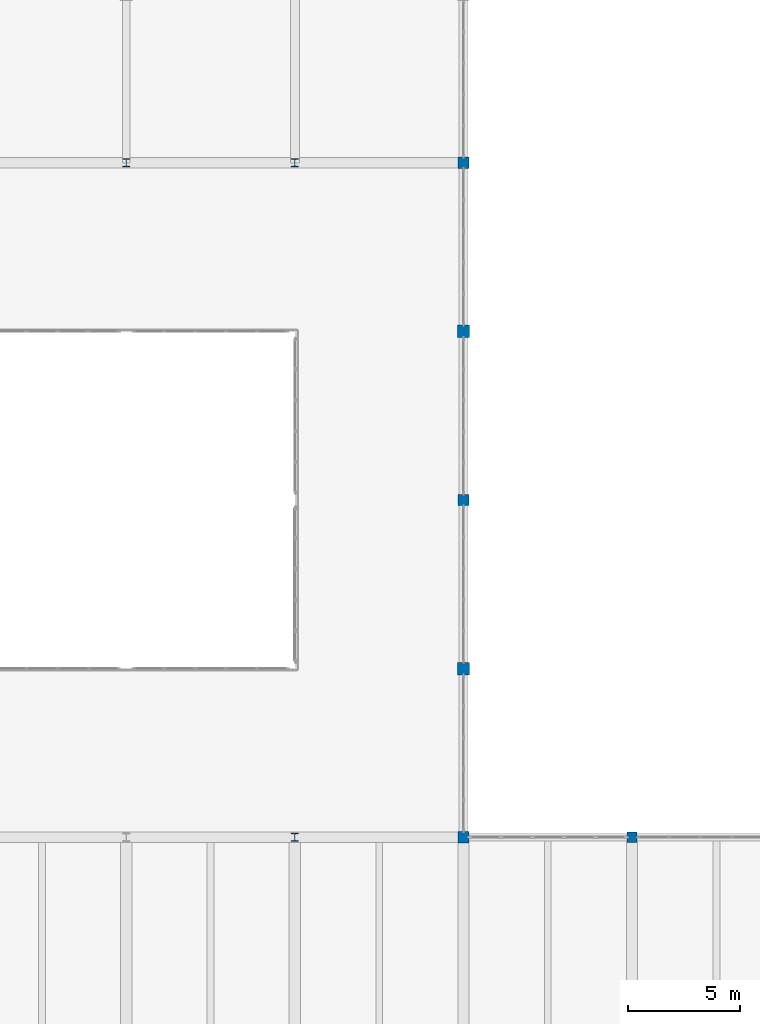
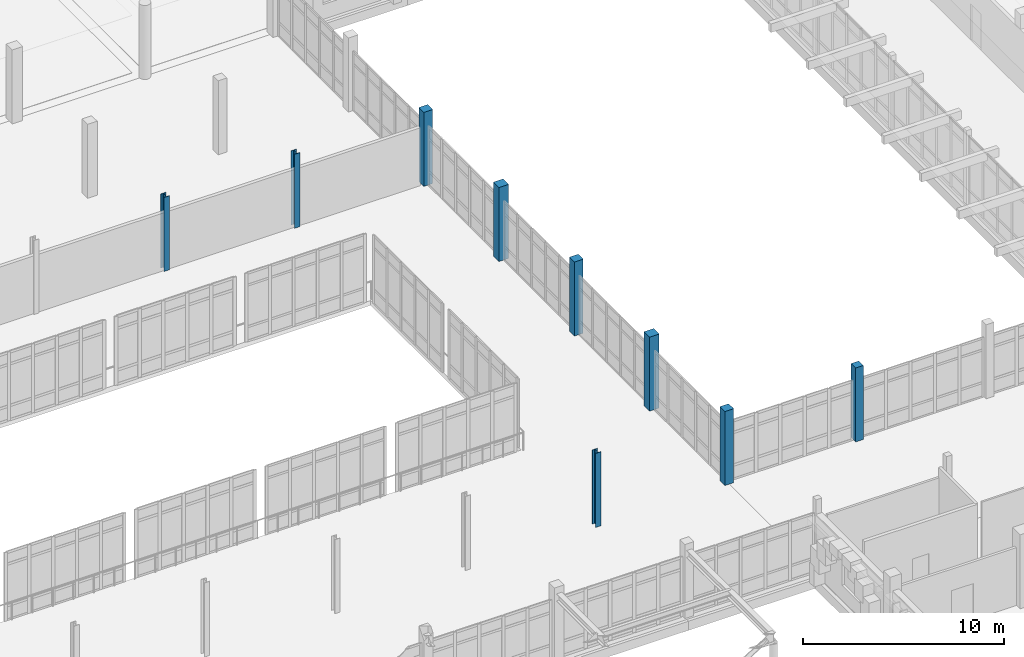
# One storey, part 8 of 128: 9 columns.
"""IFC4 building model written with IfcOpenShell, lengths in metres."""

from ifc_helpers import new_model, si_unit, direction, frame, origin, origin_2d, place, context, subcontext, project, spatial, rectangle, i_section, extrude, material, material_profile, profile_set, type_object, element, save


model = new_model("IFC4")

# Units and contexts
model_context = context("Model", 3, precision=1e-05, world=origin(), true_north=direction((0.0, 1.0)))
body_context = subcontext(model_context, "Body", "Model", "MODEL_VIEW")
ifc_project = project(units=[si_unit("LENGTHUNIT", "METRE"), si_unit("AREAUNIT", "SQUARE_METRE"), si_unit("VOLUMEUNIT", "CUBIC_METRE"), si_unit("PLANEANGLEUNIT", "RADIAN"), si_unit("MASSUNIT", "GRAM", prefix="KILO")], contexts=[model_context])

# Site, building, storey
site_placement = place(None, origin())
site = spatial("IfcSite", under=ifc_project, at=site_placement, CompositionType="ELEMENT")
building_placement = place(site_placement, origin())
building = spatial("IfcBuilding", under=site, at=building_placement, Name="Dalvernix Boulevard General Hospital", CompositionType="ELEMENT")
storey_placement = place(building_placement, frame((0.0, 0.0, 4.800048828125)))
storey = spatial("IfcBuildingStorey", under=building, at=storey_placement, Name="L01", CompositionType="ELEMENT", Elevation=4.800048828125)

# Columns
ifc_material_1 = material(Name="Concrete C40/50", Category="concrete")
ifc_material_profile_1 = material_profile(ifc_material_1, rectangle(XDim=0.550048828125, YDim=0.550048828125, at=origin_2d()), Name="RC 550x550")
ifc_profile_set_1 = profile_set([ifc_material_profile_1], Name="Concrete C40/50")
column_type_1 = type_object("IfcColumnType", Name="COL-C-08-E", PredefinedType="COLUMN", material=ifc_profile_set_1)
for number, where, z_axis, x_axis, name in (
    (1, (112.5, 39.0, 0.0), (0.0, 0.0, 1.0), (1.0, 0.0, 0.0), "L01 column 16F"),
    (2, (112.5, 54.0, 0.0), (0.0, 0.0, 1.0), (1.0, 0.0, 0.0), "L01 column 16H"),
):
    element("IfcColumn", number, at=place(storey_placement, frame(where, z_axis=z_axis, x_axis=x_axis)), inside=storey, type_object=column_type_1, Name=name, PredefinedType="COLUMN", context=body_context, shape_type="SweptSolid", body=[
        extrude(rectangle(XDim=0.550048828125, YDim=0.550048828125, at=origin_2d()), origin(), (0.0, 0.0, 1.0), 4.5),
    ])
ifc_material_profile_2 = material_profile(ifc_material_1, rectangle(XDim=0.5, YDim=0.5, at=origin_2d()), Name="RC 500x500")
ifc_profile_set_2 = profile_set([ifc_material_profile_2], Name="Concrete C40/50")
column_type_2 = type_object("IfcColumnType", Name="COL-C-09-E", PredefinedType="COLUMN", material=ifc_profile_set_2)
for number, where, z_axis, x_axis, name in (
    (3, (112.5, 31.5, 0.0), (0.0, 0.0, 1.0), (1.0, 0.0, 0.0), "L01 column 16E"),
    (4, (112.5, 46.5, 0.0), (0.0, 0.0, 1.0), (1.0, 0.0, 0.0), "L01 column 16G"),
    (5, (112.5, 61.5, 0.0), (0.0, 0.0, 1.0), (1.0, 0.0, 0.0), "L01 column 16J"),
):
    element("IfcColumn", number, at=place(storey_placement, frame(where, z_axis=z_axis, x_axis=x_axis)), inside=storey, type_object=column_type_2, Name=name, PredefinedType="COLUMN", context=body_context, shape_type="SweptSolid", body=[
        extrude(rectangle(XDim=0.5, YDim=0.5, at=origin_2d()), origin(), (0.0, 0.0, 1.0), 4.5),
    ])
ifc_material_profile_3 = material_profile(ifc_material_1, rectangle(XDim=0.449951171875, YDim=0.449951171875, at=origin_2d()), Name="RC 450x450")
ifc_profile_set_3 = profile_set([ifc_material_profile_3], Name="Concrete C40/50")
column_type_3 = type_object("IfcColumnType", Name="COL-C-10-E", PredefinedType="COLUMN", material=ifc_profile_set_3)
column_placement = place(storey_placement, frame((120.0, 31.5, 0.0), z_axis=(0.0, 0.0, 1.0), x_axis=(1.0, 0.0, 0.0)))
element("IfcColumn", 6, at=column_placement, inside=storey, type_object=column_type_3, Name="L01 column 17E", PredefinedType="COLUMN", context=body_context, shape_type="SweptSolid", body=[
    extrude(rectangle(XDim=0.449951171875, YDim=0.449951171875, at=origin_2d()), origin(), (0.0, 0.0, 1.0), 4.5),
])
ifc_material_2 = material(Name="Steel S355", Category="steel")
ifc_material_profile_4 = material_profile(ifc_material_2, i_section(OverallWidth=0.300048828125, OverallDepth=0.360107421875, WebThickness=0.012451171875, FlangeThickness=0.0224609375, FilletRadius=0.027099609375, at=origin_2d()), Name="HEB 360")
ifc_profile_set_4 = profile_set([ifc_material_profile_4], Name="Steel S355")
column_type_4 = type_object("IfcColumnType", Name="COL-C-17-I", PredefinedType="COLUMN", material=ifc_profile_set_4)
for number, where, z_axis, x_axis, name in (
    (7, (97.5, 61.5, 0.0), (0.0, 0.0, 1.0), (1.0, 0.0, 0.0), "L01 column 14J"),
    (8, (105.0, 31.5, 0.0), (0.0, 0.0, 1.0), (1.0, 0.0, 0.0), "L01 column 15E"),
    (9, (105.0, 61.5, 0.0), (0.0, 0.0, 1.0), (1.0, 0.0, 0.0), "L01 column 15J"),
):
    element("IfcColumn", number, at=place(storey_placement, frame(where, z_axis=z_axis, x_axis=x_axis)), inside=storey, type_object=column_type_4, Name=name, PredefinedType="COLUMN", context=body_context, shape_type="SweptSolid", body=[
        extrude(i_section(OverallWidth=0.300048828125, OverallDepth=0.360107421875, WebThickness=0.012451171875, FlangeThickness=0.0224609375, FilletRadius=0.027099609375, at=origin_2d()), origin(), (0.0, 0.0, 1.0), 4.5),
    ])

save(model, "model.ifc")
